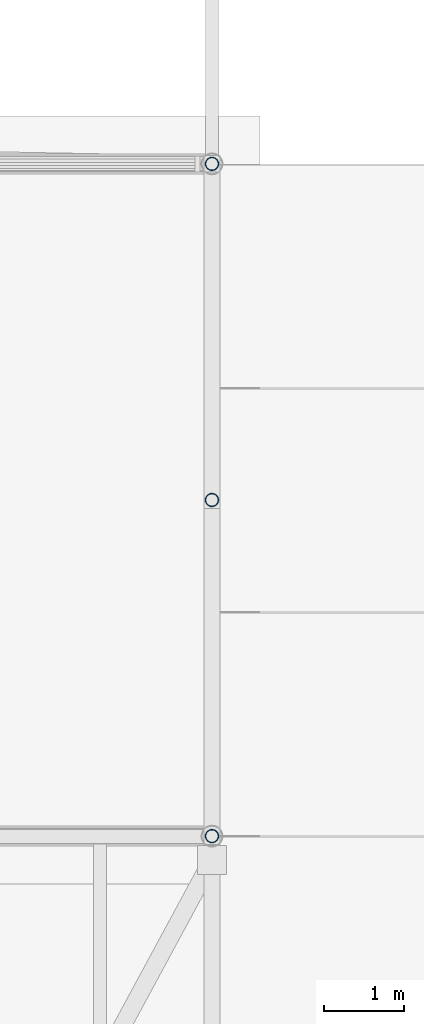
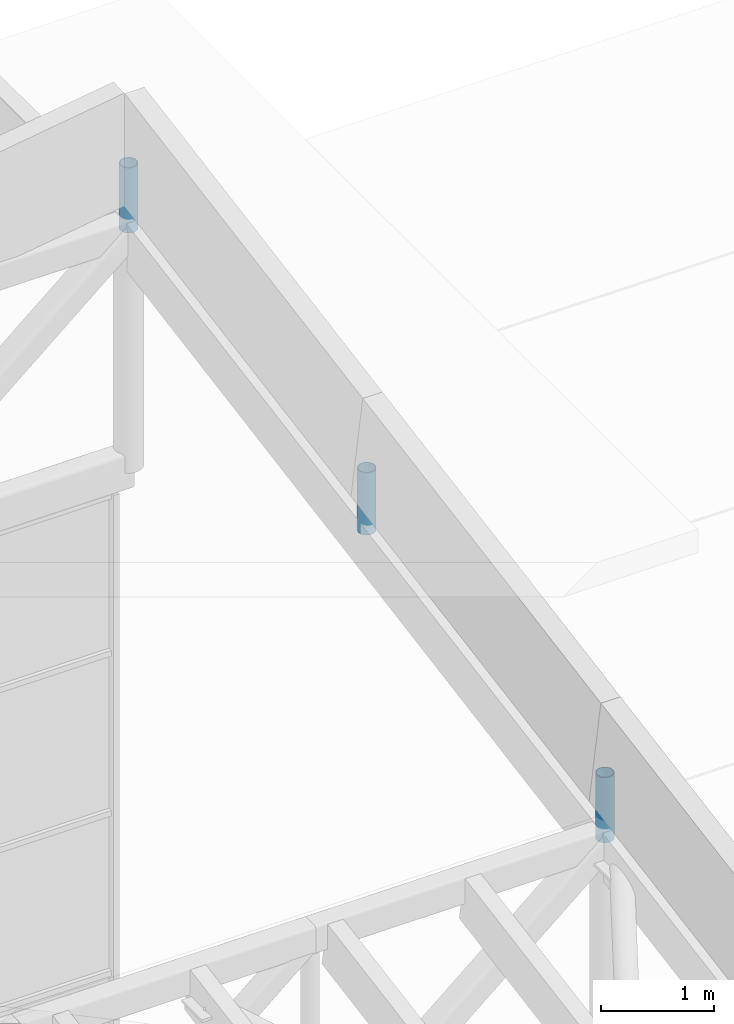
# One storey, part 57 of 91: 3 members.
"""IFC4 building model written with IfcOpenShell, lengths in metres."""

import ifcopenshell
import ifcopenshell.guid

model = None  # the IFC model being written
_history = None  # IfcOwnerHistory: only IFC2X3 demands one
_inside = {}  # id of a spatial element -> (the spatial element, [elements in it])
_under = {}  # id of a project, library or spatial element -> (it, [spatial elements below it])
_declared = {}  # id of a project -> (the project, [libraries it declares])
_typed = {}  # id of a type object -> (the type object, [elements of that type])
_made_of = {}  # id of a material, layer set ... -> (it, [elements and type objects made of it])


def new_model(schema):
    """Start an empty IFC model of exactly this schema.

    Asked for "IFC4X3", IfcOpenShell would pick the latest addendum, in which some entities
    have other attributes; the version numbers below select the first issue.
    IFC2X3 requires an IfcOwnerHistory on every rooted entity: one is made here for all.
    """
    global model, _history
    if schema == "IFC4X3":
        model = ifcopenshell.file(schema_version=(4, 3, 0, 0))
    else:
        model = ifcopenshell.file(schema=schema)
    _inside.clear()
    _under.clear()
    _declared.clear()
    _typed.clear()
    _made_of.clear()
    _history = None
    if model.schema == "IFC2X3":
        org = make("IfcOrganization", Name="unknown")
        user = make(
            "IfcPersonAndOrganization",
            ThePerson=make("IfcPerson", FamilyName="unknown"),
            TheOrganization=org,
        )
        app = make(
            "IfcApplication",
            ApplicationDeveloper=org,
            Version="unknown",
            ApplicationFullName="unknown",
            ApplicationIdentifier="unknown",
        )
        _history = make(
            "IfcOwnerHistory",
            OwningUser=user,
            OwningApplication=app,
            ChangeAction="ADDED",
            CreationDate=0,
        )
    return model


def make(cls, **values):
    """One entity of the class cls with the attributes given. An attribute that is None is left unset."""
    return model.create_entity(
        cls, **{name: value for name, value in values.items() if value is not None}
    )


def rooted(cls, **values):
    """An entity with a GlobalId (a new one), such as an element, a storey or a relation."""
    return make(cls, GlobalId=ifcopenshell.guid.new(), OwnerHistory=_history, **values)


def si_unit(unit_type, name, prefix=None):
    """IfcSIUnit, for example si_unit("LENGTHUNIT", "METRE", prefix="MILLI")."""
    return make("IfcSIUnit", UnitType=unit_type, Prefix=prefix, Name=name)


def assignment(units):
    """IfcUnitAssignment: the units of a project."""
    return None if units is None else make("IfcUnitAssignment", Units=units)


def point(xyz):
    """IfcCartesianPoint."""
    return None if xyz is None else make("IfcCartesianPoint", Coordinates=xyz)


def direction(xyz):
    """IfcDirection."""
    return None if xyz is None else make("IfcDirection", DirectionRatios=xyz)


def frame(location, z_axis=None, x_axis=None):
    """IfcAxis2Placement3D, a coordinate frame: its origin and axes. An axis left out is left unset."""
    return make(
        "IfcAxis2Placement3D",
        Location=point(location),
        Axis=direction(z_axis),
        RefDirection=direction(x_axis),
    )


def frame_2d(location, x_axis=None):
    """IfcAxis2Placement2D, a coordinate frame in the plane: its origin and x axis."""
    return make(
        "IfcAxis2Placement2D", Location=point(location), RefDirection=direction(x_axis)
    )


def origin():
    """The frame at (0, 0, 0) with its axes left unset."""
    return frame((0.0, 0.0, 0.0))


def origin_2d():
    """The frame at (0, 0) in the plane with its x axis left unset."""
    return frame_2d((0.0, 0.0))


def place(relative_to, where):
    """IfcLocalPlacement: puts the frame where relative to a parent placement (None: the world)."""
    return make(
        "IfcLocalPlacement", PlacementRelTo=relative_to, RelativePlacement=where
    )


def context(
    kind, dimensions, precision=None, world=None, true_north=None, identifier=None
):
    """IfcGeometricRepresentationContext, for example the 3D "Model" context."""
    return make(
        "IfcGeometricRepresentationContext",
        ContextIdentifier=identifier,
        ContextType=kind,
        CoordinateSpaceDimension=dimensions,
        Precision=precision,
        WorldCoordinateSystem=world,
        TrueNorth=true_north,
    )


def subcontext(parent, identifier, kind, view, scale=None):
    """IfcGeometricRepresentationSubContext, for example "Body" below "Model"."""
    return make(
        "IfcGeometricRepresentationSubContext",
        ContextIdentifier=identifier,
        ContextType=kind,
        ParentContext=parent,
        TargetScale=scale,
        TargetView=view,
    )


def project(units=None, contexts=None):
    """IfcProject with its units and contexts."""
    return rooted(
        "IfcProject",
        Name="project",
        RepresentationContexts=contexts,
        UnitsInContext=assignment(units),
    )


def spatial(cls, under=None, at=None, **own):
    """A site, building, storey or space (cls), placed at a placement, below another one or the project."""
    s = rooted(cls, ObjectPlacement=at, **own)
    if under is not None:
        _under.setdefault(under.id(), (under, []))[1].append(s)
    return s


def profile(cls, at=None, kind="AREA", **sizes):
    """A parametric profile (cls). Its sizes go by their IFC names, for example OverallWidth=200.0."""
    return make(cls, ProfileType=kind, Position=at, **sizes)


def hollow_circle(**sizes):
    """IfcCircleHollowProfileDef."""
    return profile("IfcCircleHollowProfileDef", **sizes)


def extrude(swept, where, along, depth):
    """IfcExtrudedAreaSolid: the profile swept, set in the frame where, extruded along a direction by depth."""
    return make(
        "IfcExtrudedAreaSolid",
        SweptArea=swept,
        Position=where,
        ExtrudedDirection=direction(along),
        Depth=depth,
    )


def shape(context_of_items, identifier, shape_type, items):
    """IfcShapeRepresentation: the items that make up one representation, for example the "Body"."""
    return make(
        "IfcShapeRepresentation",
        ContextOfItems=context_of_items,
        RepresentationIdentifier=identifier,
        RepresentationType=shape_type,
        Items=items,
    )


def material(Name=None, Category=None):
    """IfcMaterial."""
    return make("IfcMaterial", Name=Name, Category=Category)


def material_profile(
    of_material, cross_section, Name=None, Category=None, Priority=None
):
    """IfcMaterialProfile: a cross section and its material."""
    return make(
        "IfcMaterialProfile",
        Name=Name,
        Material=of_material,
        Profile=cross_section,
        Priority=Priority,
        Category=Category,
    )


def profile_set(profiles, Name=None, composite=None):
    """IfcMaterialProfileSet."""
    return make(
        "IfcMaterialProfileSet",
        Name=Name,
        MaterialProfiles=profiles,
        CompositeProfile=composite,
    )


def made_of(thing, what):
    """Note that an element or type object is made of a material, layer set ...; save() writes the relation."""
    if what is not None:
        _made_of.setdefault(what.id(), (what, []))[1].append(thing)
    return thing


def type_object(cls, material=None, **own):
    """A type object (cls), such as IfcWallType, which elements share."""
    return made_of(rooted(cls, **own), material)


def element(
    cls,
    number,
    at=None,
    inside=None,
    cuts=None,
    type_object=None,
    material=None,
    context=None,
    identifier="Body",
    shape_type=None,
    held_by="IfcProductDefinitionShape",
    body=None,
    shapes=None,
    **own,
):
    """One element of the class cls, such as IfcWall. Its Tag is "e" and its number.

    at: its placement. inside: the storey or other place that contains it. cuts: it is an
    opening in that element (IfcRelVoidsElement). A single representation is given by context,
    identifier, shape_type and body (its items); several are given by shapes. held_by: the class
    of the entity that holds the representations. save() writes the other relations.
    """
    e = rooted(cls, Tag="e%d" % number, ObjectPlacement=at, **own)
    if body is not None:
        shapes = [shape(context, identifier, shape_type, body)]
    if shapes is not None:
        e.Representation = make(held_by, Representations=shapes)
    if inside is not None:
        _inside.setdefault(inside.id(), (inside, []))[1].append(e)
    if cuts is not None:
        rooted(
            "IfcRelVoidsElement", RelatingBuildingElement=cuts, RelatedOpeningElement=e
        )
    if type_object is not None:
        _typed.setdefault(type_object.id(), (type_object, []))[1].append(e)
    return made_of(e, material)


def aggregate(whole, parts):
    """IfcRelAggregates: a whole, such as a stair, and the parts it consists of."""
    return rooted("IfcRelAggregates", RelatingObject=whole, RelatedObjects=parts)


def save(model, path):
    """Write the relations noted so far, then the file.

    IfcRelAggregates (storeys below a building ...), IfcRelContainedInSpatialStructure (elements
    in a storey), IfcRelDefinesByType, IfcRelAssociatesMaterial and IfcRelDeclares: one each for
    every whole, place, type object, material and project.
    """
    for whole, parts in _under.values():
        aggregate(whole, parts)
    for where, things in _inside.values():
        rooted(
            "IfcRelContainedInSpatialStructure",
            RelatedElements=things,
            RelatingStructure=where,
        )
    for kind, things in _typed.values():
        rooted("IfcRelDefinesByType", RelatedObjects=things, RelatingType=kind)
    for what, things in _made_of.values():
        rooted("IfcRelAssociatesMaterial", RelatedObjects=things, RelatingMaterial=what)
    for by, libraries in _declared.values():
        rooted("IfcRelDeclares", RelatingContext=by, RelatedDefinitions=libraries)
    model.write(path)


model = new_model("IFC4")

# Units and contexts
model_context = context("Model", 3, precision=1e-05, world=origin(), true_north=direction((0.0, 1.0)))
body_context = subcontext(model_context, "Body", "Model", "MODEL_VIEW")
ifc_project = project(units=[si_unit("LENGTHUNIT", "METRE"), si_unit("AREAUNIT", "SQUARE_METRE"), si_unit("VOLUMEUNIT", "CUBIC_METRE"), si_unit("PLANEANGLEUNIT", "RADIAN"), si_unit("MASSUNIT", "GRAM", prefix="KILO")], contexts=[model_context])

# Site, building, storey
site_placement = place(None, origin())
site = spatial("IfcSite", under=ifc_project, at=site_placement, CompositionType="ELEMENT")
building_placement = place(site_placement, origin())
building = spatial("IfcBuilding", under=site, at=building_placement, Name="Almond Square Museum", CompositionType="ELEMENT")
storey_placement = place(building_placement, frame((0.0, 0.0, 30.0)))
storey = spatial("IfcBuildingStorey", under=building, at=storey_placement, Name="L05", CompositionType="ELEMENT", Elevation=30.0)

# Members
ifc_material = material(Name="Structural steel S355", Category="steel")
ifc_material_profile = material_profile(ifc_material, hollow_circle(Radius=0.084228515625, WallThickness=0.008056640625, at=origin_2d()))
ifc_profile_set = profile_set([ifc_material_profile], Name="Structural steel S355")
member_type = type_object("IfcMemberType", Name="Fascia post CHS 168.3x8", PredefinedType="POST", material=ifc_profile_set)
for number, where, z_axis, x_axis, name in (
    (1, (148.800048828125, 100.800048828125, 15.068603515625), (0.0, 0.0, 1.0), (1.0, 0.0, 0.0), "Rake fascia post E 7"),
    (2, (148.800048828125, 109.199951171875, 16.53857421875), (0.0, 0.0, 1.0), (1.0, 0.0, 0.0), "Rake fascia post E 8"),
):
    element("IfcMember", number, at=place(storey_placement, frame(where, z_axis=z_axis, x_axis=x_axis)), inside=storey, type_object=member_type, Name=name, PredefinedType="POST", context=body_context, shape_type="SweptSolid", body=[
        extrude(hollow_circle(Radius=0.084228515625, WallThickness=0.008056640625, at=origin_2d()), origin(), (0.0, 0.0, 1.0), 0.701416015625),
    ])
member_placement = place(storey_placement, frame((148.800048828125, 105.0, 15.83349609375), z_axis=(0.0, 0.0, 1.0), x_axis=(1.0, 0.0, 0.0)))
element("IfcMember", 3, at=member_placement, inside=storey, type_object=member_type, Name="Rake fascia post E bay 7", PredefinedType="POST", context=body_context, shape_type="SweptSolid", body=[
    extrude(hollow_circle(Radius=0.084228515625, WallThickness=0.008056640625, at=origin_2d()), origin(), (0.0, 0.0, 1.0), 0.67138671875),
])

save(model, "model.ifc")
